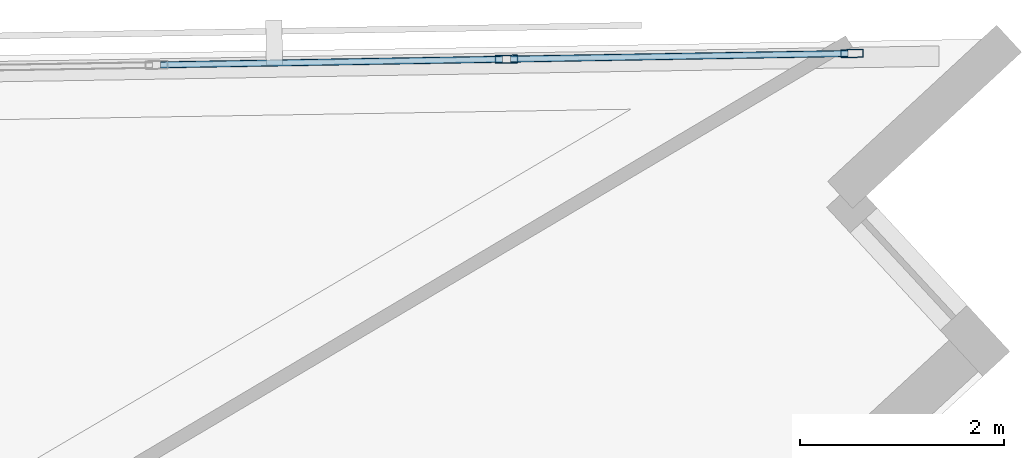
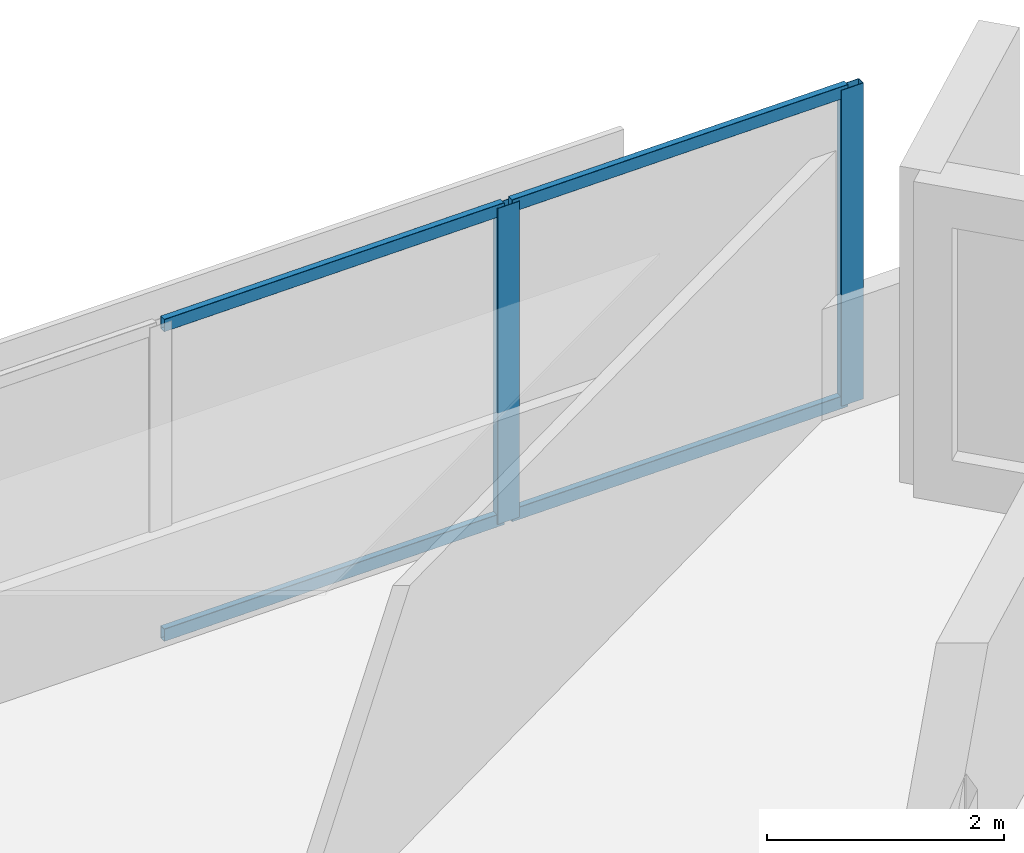
# One storey, part 6 of 13: 6 members, 1 element without a shape of its own.
"""IFC4 building model written with IfcOpenShell, lengths in metres."""

from ifc_helpers import new_model, si_unit, direction, frame, origin, origin_2d, place, context, subcontext, project, spatial, hollow_rectangle, extrude, material, material_profile, profile_set, type_object, element, aggregate, save


model = new_model("IFC4")

# Units and contexts
model_context = context("Model", 3, precision=1e-05, world=origin(), true_north=direction((0.0, 1.0)))
body_context = subcontext(model_context, "Body", "Model", "MODEL_VIEW")
ifc_project = project(units=[si_unit("LENGTHUNIT", "METRE"), si_unit("AREAUNIT", "SQUARE_METRE"), si_unit("VOLUMEUNIT", "CUBIC_METRE"), si_unit("PLANEANGLEUNIT", "RADIAN"), si_unit("MASSUNIT", "GRAM", prefix="KILO")], contexts=[model_context])

# Site, building, storey
site_placement = place(None, origin())
site = spatial("IfcSite", under=ifc_project, at=site_placement, CompositionType="ELEMENT")
building_placement = place(site_placement, origin())
building = spatial("IfcBuilding", under=site, at=building_placement, Name="Narakoshi Arena Tower", CompositionType="ELEMENT")
storey_placement = place(building_placement, frame((0.0, 0.0, 274.820068359375)))
storey = spatial("IfcBuildingStorey", under=building, at=storey_placement, Name="L75", CompositionType="ELEMENT", Elevation=274.820068359375)

# Curtain wall, members
ifc_material = material(Name="Anodised bronze aluminium 6063-T6", Category="aluminium")
curtain_wall_type = type_object("IfcCurtainWallType", Name="CW-HYP-HIGH", PredefinedType="NOTDEFINED", material=ifc_material)
curtain_wall_placement = place(storey_placement, origin())
curtain_wall = element("IfcCurtainWall", 1, at=curtain_wall_placement, inside=storey, type_object=curtain_wall_type, Name="L75 Folded Hypotenuse Curtain Wall 1-1", PredefinedType="NOTDEFINED")
ifc_material_profile_1 = material_profile(ifc_material, hollow_rectangle(XDim=0.080078125, YDim=0.219970703125, WallThickness=0.0048828125, OuterFilletRadius=0.006103515625, at=origin_2d()), Name="MUL220x80x5")
ifc_profile_set_1 = profile_set([ifc_material_profile_1], Name="Anodised bronze aluminium 6063-T6")
member_type_1 = type_object("IfcMemberType", Name="MEM-MUL-220", PredefinedType="MULLION", material=ifc_profile_set_1)
member_1_placement = place(storey_placement, frame((110.4189453125, 64.11767578125, 0.0), z_axis=(0.0, 0.0, 1.0), x_axis=(0.016442997569, -0.999864804777, 0.0)))
member_1 = element("IfcMember", 2, at=member_1_placement, type_object=member_type_1, Name="CW-03 mullion 1", PredefinedType="MULLION", context=body_context, shape_type="SweptSolid", body=[
    extrude(hollow_rectangle(XDim=0.080078125, YDim=0.219970703125, WallThickness=0.0048828125, OuterFilletRadius=0.006103515625, at=origin_2d()), origin(), (0.0, 0.0, 1.0), 3.260009765625),
])
member_2_placement = place(storey_placement, frame((107.031494140625, 64.06201171875, 0.0), z_axis=(0.0, 0.0, 1.0), x_axis=(0.016442997569, -0.999864804777, 0.0)))
member_2 = element("IfcMember", 3, at=member_2_placement, type_object=member_type_1, Name="CW-03 mullion 2", PredefinedType="MULLION", context=body_context, shape_type="SweptSolid", body=[
    extrude(hollow_rectangle(XDim=0.080078125, YDim=0.219970703125, WallThickness=0.0048828125, OuterFilletRadius=0.006103515625, at=origin_2d()), origin(), (0.0, 0.0, 1.0), 3.260009765625),
])
ifc_material_profile_2 = material_profile(ifc_material, hollow_rectangle(XDim=0.06494140625, YDim=0.1298828125, WallThickness=0.00390625, OuterFilletRadius=0.0048828125, at=origin_2d()), Name="TRN130x65x4")
ifc_profile_set_2 = profile_set([ifc_material_profile_2], Name="Anodised bronze aluminium 6063-T6")
member_type_2 = type_object("IfcMemberType", Name="MEM-TRN-130", PredefinedType="USERDEFINED", material=ifc_profile_set_2)
member_3_placement = place(storey_placement, frame((110.37890625, 64.1171875, 0.032470703125), z_axis=(-0.999864541825, -0.016458979318, 0.0), x_axis=(0.016458979318, -0.999864541825, 0.0)))
member_3 = element("IfcMember", 4, at=member_3_placement, type_object=member_type_2, Name="CW-03 transom 1.1", ObjectType="TRANSOM", PredefinedType="USERDEFINED", context=body_context, shape_type="SweptSolid", body=[
    extrude(hollow_rectangle(XDim=0.06494140625, YDim=0.1298828125, WallThickness=0.00390625, OuterFilletRadius=0.0048828125, at=origin_2d()), origin(), (0.0, 0.0, 1.0), 3.307861328125),
])
member_4_placement = place(storey_placement, frame((110.37890625, 64.1171875, 3.2275390625), z_axis=(-0.999864541825, -0.016458979318, 0.0), x_axis=(0.016458979318, -0.999864541825, 0.0)))
member_4 = element("IfcMember", 5, at=member_4_placement, type_object=member_type_2, Name="CW-03 transom 1.2", ObjectType="TRANSOM", PredefinedType="USERDEFINED", context=body_context, shape_type="SweptSolid", body=[
    extrude(hollow_rectangle(XDim=0.06494140625, YDim=0.1298828125, WallThickness=0.00390625, OuterFilletRadius=0.0048828125, at=origin_2d()), origin(), (0.0, 0.0, 1.0), 3.307861328125),
])
member_5_placement = place(storey_placement, frame((106.99169921875, 64.061279296875, 0.032470703125), z_axis=(-0.999865380158, -0.01640797247, 0.0), x_axis=(0.01640797247, -0.999865380158, 0.0)))
member_5 = element("IfcMember", 6, at=member_5_placement, type_object=member_type_2, Name="CW-03 transom 2.1", ObjectType="TRANSOM", PredefinedType="USERDEFINED", context=body_context, shape_type="SweptSolid", body=[
    extrude(hollow_rectangle(XDim=0.06494140625, YDim=0.1298828125, WallThickness=0.00390625, OuterFilletRadius=0.0048828125, at=origin_2d()), origin(), (0.0, 0.0, 1.0), 3.347900390625),
])
member_6_placement = place(storey_placement, frame((106.99169921875, 64.061279296875, 3.2275390625), z_axis=(-0.999865380158, -0.01640797247, 0.0), x_axis=(0.01640797247, -0.999865380158, 0.0)))
member_6 = element("IfcMember", 7, at=member_6_placement, type_object=member_type_2, Name="CW-03 transom 2.2", ObjectType="TRANSOM", PredefinedType="USERDEFINED", context=body_context, shape_type="SweptSolid", body=[
    extrude(hollow_rectangle(XDim=0.06494140625, YDim=0.1298828125, WallThickness=0.00390625, OuterFilletRadius=0.0048828125, at=origin_2d()), origin(), (0.0, 0.0, 1.0), 3.347900390625),
])
aggregate(curtain_wall, [member_1, member_2, member_3, member_4, member_5, member_6])

save(model, "model.ifc")
